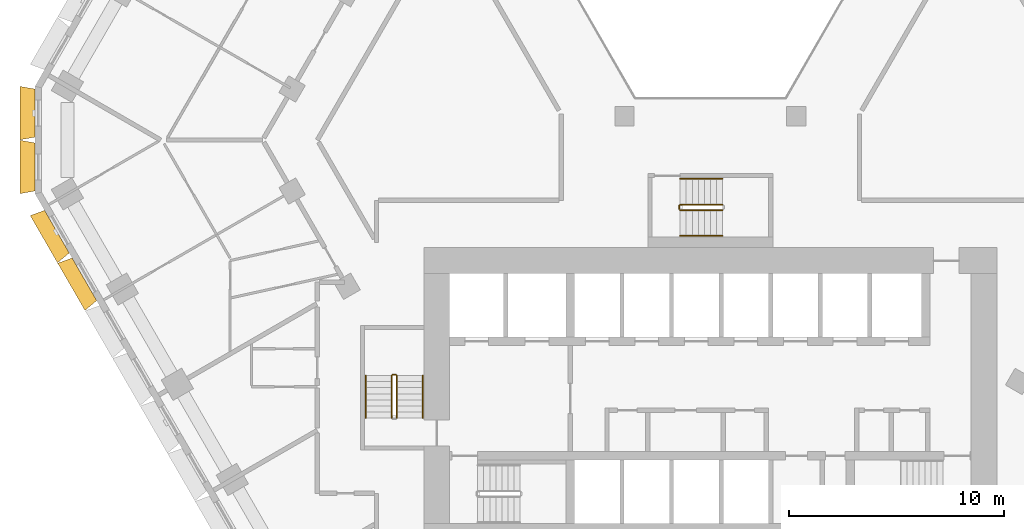
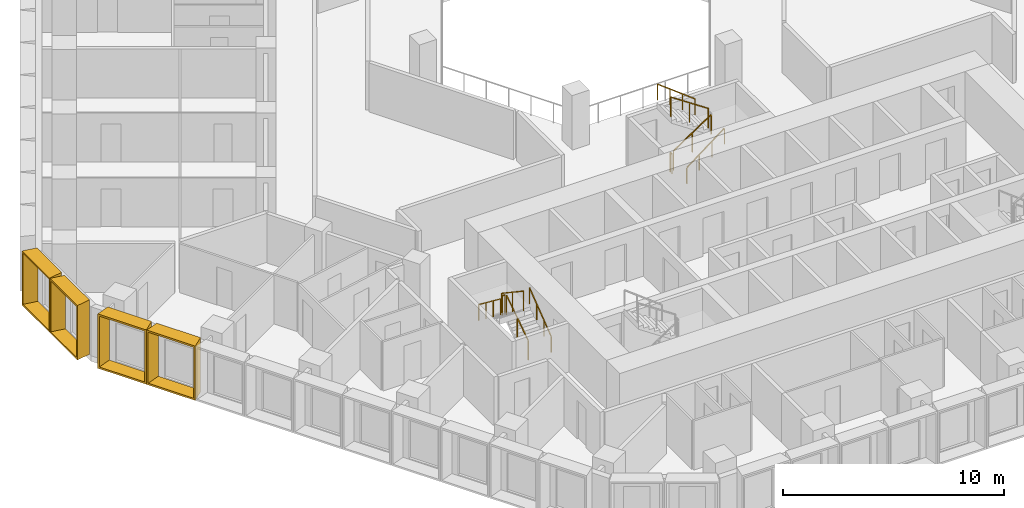
# One storey, part 19 of 21: 10 railings, 4 shading devices.
"""IFC4 building model written with IfcOpenShell, lengths in metres."""

import ifcopenshell
import ifcopenshell.guid

model = None  # the IFC model being written
_history = None  # IfcOwnerHistory: only IFC2X3 demands one
_inside = {}  # id of a spatial element -> (the spatial element, [elements in it])
_under = {}  # id of a project, library or spatial element -> (it, [spatial elements below it])
_declared = {}  # id of a project -> (the project, [libraries it declares])
_typed = {}  # id of a type object -> (the type object, [elements of that type])
_made_of = {}  # id of a material, layer set ... -> (it, [elements and type objects made of it])


def new_model(schema):
    """Start an empty IFC model of exactly this schema.

    Asked for "IFC4X3", IfcOpenShell would pick the latest addendum, in which some entities
    have other attributes; the version numbers below select the first issue.
    IFC2X3 requires an IfcOwnerHistory on every rooted entity: one is made here for all.
    """
    global model, _history
    if schema == "IFC4X3":
        model = ifcopenshell.file(schema_version=(4, 3, 0, 0))
    else:
        model = ifcopenshell.file(schema=schema)
    _inside.clear()
    _under.clear()
    _declared.clear()
    _typed.clear()
    _made_of.clear()
    _history = None
    if model.schema == "IFC2X3":
        org = make("IfcOrganization", Name="unknown")
        user = make(
            "IfcPersonAndOrganization",
            ThePerson=make("IfcPerson", FamilyName="unknown"),
            TheOrganization=org,
        )
        app = make(
            "IfcApplication",
            ApplicationDeveloper=org,
            Version="unknown",
            ApplicationFullName="unknown",
            ApplicationIdentifier="unknown",
        )
        _history = make(
            "IfcOwnerHistory",
            OwningUser=user,
            OwningApplication=app,
            ChangeAction="ADDED",
            CreationDate=0,
        )
    return model


def make(cls, **values):
    """One entity of the class cls with the attributes given. An attribute that is None is left unset."""
    return model.create_entity(
        cls, **{name: value for name, value in values.items() if value is not None}
    )


def entity(cls, *values):
    """Any entity or typed value of the class cls, its attributes in the order of the schema. None: left unset."""
    e = model.create_entity(cls)
    for i, value in enumerate(values):
        if value is not None:
            e[i] = value
    return e


def rooted(cls, **values):
    """An entity with a GlobalId (a new one), such as an element, a storey or a relation."""
    return make(cls, GlobalId=ifcopenshell.guid.new(), OwnerHistory=_history, **values)


def si_unit(unit_type, name, prefix=None):
    """IfcSIUnit, for example si_unit("LENGTHUNIT", "METRE", prefix="MILLI")."""
    return make("IfcSIUnit", UnitType=unit_type, Prefix=prefix, Name=name)


def assignment(units):
    """IfcUnitAssignment: the units of a project."""
    return None if units is None else make("IfcUnitAssignment", Units=units)


def point(xyz):
    """IfcCartesianPoint."""
    return None if xyz is None else make("IfcCartesianPoint", Coordinates=xyz)


def direction(xyz):
    """IfcDirection."""
    return None if xyz is None else make("IfcDirection", DirectionRatios=xyz)


def frame(location, z_axis=None, x_axis=None):
    """IfcAxis2Placement3D, a coordinate frame: its origin and axes. An axis left out is left unset."""
    return make(
        "IfcAxis2Placement3D",
        Location=point(location),
        Axis=direction(z_axis),
        RefDirection=direction(x_axis),
    )


def frame_2d(location, x_axis=None):
    """IfcAxis2Placement2D, a coordinate frame in the plane: its origin and x axis."""
    return make(
        "IfcAxis2Placement2D", Location=point(location), RefDirection=direction(x_axis)
    )


def origin():
    """The frame at (0, 0, 0) with its axes left unset."""
    return frame((0.0, 0.0, 0.0))


def origin_2d():
    """The frame at (0, 0) in the plane with its x axis left unset."""
    return frame_2d((0.0, 0.0))


def place(relative_to, where):
    """IfcLocalPlacement: puts the frame where relative to a parent placement (None: the world)."""
    return make(
        "IfcLocalPlacement", PlacementRelTo=relative_to, RelativePlacement=where
    )


def context(
    kind, dimensions, precision=None, world=None, true_north=None, identifier=None
):
    """IfcGeometricRepresentationContext, for example the 3D "Model" context."""
    return make(
        "IfcGeometricRepresentationContext",
        ContextIdentifier=identifier,
        ContextType=kind,
        CoordinateSpaceDimension=dimensions,
        Precision=precision,
        WorldCoordinateSystem=world,
        TrueNorth=true_north,
    )


def subcontext(parent, identifier, kind, view, scale=None):
    """IfcGeometricRepresentationSubContext, for example "Body" below "Model"."""
    return make(
        "IfcGeometricRepresentationSubContext",
        ContextIdentifier=identifier,
        ContextType=kind,
        ParentContext=parent,
        TargetScale=scale,
        TargetView=view,
    )


def project(units=None, contexts=None):
    """IfcProject with its units and contexts."""
    return rooted(
        "IfcProject",
        Name="project",
        RepresentationContexts=contexts,
        UnitsInContext=assignment(units),
    )


def spatial(cls, under=None, at=None, **own):
    """A site, building, storey or space (cls), placed at a placement, below another one or the project."""
    s = rooted(cls, ObjectPlacement=at, **own)
    if under is not None:
        _under.setdefault(under.id(), (under, []))[1].append(s)
    return s


def profile(cls, at=None, kind="AREA", **sizes):
    """A parametric profile (cls). Its sizes go by their IFC names, for example OverallWidth=200.0."""
    return make(cls, ProfileType=kind, Position=at, **sizes)


def rectangle(**sizes):
    """IfcRectangleProfileDef."""
    return profile("IfcRectangleProfileDef", **sizes)


def extrude(swept, where, along, depth):
    """IfcExtrudedAreaSolid: the profile swept, set in the frame where, extruded along a direction by depth."""
    return make(
        "IfcExtrudedAreaSolid",
        SweptArea=swept,
        Position=where,
        ExtrudedDirection=direction(along),
        Depth=depth,
    )


def shape(context_of_items, identifier, shape_type, items):
    """IfcShapeRepresentation: the items that make up one representation, for example the "Body"."""
    return make(
        "IfcShapeRepresentation",
        ContextOfItems=context_of_items,
        RepresentationIdentifier=identifier,
        RepresentationType=shape_type,
        Items=items,
    )


def source(mapping_origin, context_of_items, identifier, shape_type, items):
    """IfcRepresentationMap: a shape defined once, which mapped items show again and again."""
    return make(
        "IfcRepresentationMap",
        MappingOrigin=mapping_origin,
        MappedRepresentation=shape(context_of_items, identifier, shape_type, items),
    )


def transform(
    local_origin,
    x_axis=None,
    y_axis=None,
    z_axis=None,
    scale=None,
    scale2=None,
    scale3=None,
    uniform=True,
):
    """IfcCartesianTransformationOperator3D, or its non-uniform kind. x_axis, y_axis, z_axis: its Axis1, 2, 3."""
    if uniform:
        return make(
            "IfcCartesianTransformationOperator3D",
            Axis1=direction(x_axis),
            Axis2=direction(y_axis),
            LocalOrigin=point(local_origin),
            Scale=scale,
            Axis3=direction(z_axis),
        )
    return make(
        "IfcCartesianTransformationOperator3DnonUniform",
        Axis1=direction(x_axis),
        Axis2=direction(y_axis),
        LocalOrigin=point(local_origin),
        Scale=scale,
        Axis3=direction(z_axis),
        Scale2=scale2,
        Scale3=scale3,
    )


def mapped(mapping_source, mapping_target):
    """IfcMappedItem: shows the shape of a source again, moved by a transform."""
    return make(
        "IfcMappedItem", MappingSource=mapping_source, MappingTarget=mapping_target
    )


def material(Name=None, Category=None):
    """IfcMaterial."""
    return make("IfcMaterial", Name=Name, Category=Category)


def made_of(thing, what):
    """Note that an element or type object is made of a material, layer set ...; save() writes the relation."""
    if what is not None:
        _made_of.setdefault(what.id(), (what, []))[1].append(thing)
    return thing


def type_object(cls, material=None, **own):
    """A type object (cls), such as IfcWallType, which elements share."""
    return made_of(rooted(cls, **own), material)


def type_shapes(of_type, sources):
    """Give a type object the sources (RepresentationMaps) that its elements show as mapped items."""
    of_type.RepresentationMaps = sources


def element(
    cls,
    number,
    at=None,
    inside=None,
    cuts=None,
    type_object=None,
    material=None,
    context=None,
    identifier="Body",
    shape_type=None,
    held_by="IfcProductDefinitionShape",
    body=None,
    shapes=None,
    **own,
):
    """One element of the class cls, such as IfcWall. Its Tag is "e" and its number.

    at: its placement. inside: the storey or other place that contains it. cuts: it is an
    opening in that element (IfcRelVoidsElement). A single representation is given by context,
    identifier, shape_type and body (its items); several are given by shapes. held_by: the class
    of the entity that holds the representations. save() writes the other relations.
    """
    e = rooted(cls, Tag="e%d" % number, ObjectPlacement=at, **own)
    if body is not None:
        shapes = [shape(context, identifier, shape_type, body)]
    if shapes is not None:
        e.Representation = make(held_by, Representations=shapes)
    if inside is not None:
        _inside.setdefault(inside.id(), (inside, []))[1].append(e)
    if cuts is not None:
        rooted(
            "IfcRelVoidsElement", RelatingBuildingElement=cuts, RelatedOpeningElement=e
        )
    if type_object is not None:
        _typed.setdefault(type_object.id(), (type_object, []))[1].append(e)
    return made_of(e, material)


def aggregate(whole, parts):
    """IfcRelAggregates: a whole, such as a stair, and the parts it consists of."""
    return rooted("IfcRelAggregates", RelatingObject=whole, RelatedObjects=parts)


def save(model, path):
    """Write the relations noted so far, then the file.

    IfcRelAggregates (storeys below a building ...), IfcRelContainedInSpatialStructure (elements
    in a storey), IfcRelDefinesByType, IfcRelAssociatesMaterial and IfcRelDeclares: one each for
    every whole, place, type object, material and project.
    """
    for whole, parts in _under.values():
        aggregate(whole, parts)
    for where, things in _inside.values():
        rooted(
            "IfcRelContainedInSpatialStructure",
            RelatedElements=things,
            RelatingStructure=where,
        )
    for kind, things in _typed.values():
        rooted("IfcRelDefinesByType", RelatedObjects=things, RelatingType=kind)
    for what, things in _made_of.values():
        rooted("IfcRelAssociatesMaterial", RelatedObjects=things, RelatingMaterial=what)
    for by, libraries in _declared.values():
        rooted("IfcRelDeclares", RelatingContext=by, RelatedDefinitions=libraries)
    model.write(path)


model = new_model("IFC4")

# Units and contexts
model_context = context("Model", 3, precision=1e-05, world=origin(), true_north=direction((0.0, 1.0)))
body_context = subcontext(model_context, "Body", "Model", "MODEL_VIEW")
ifc_project = project(units=[si_unit("LENGTHUNIT", "METRE"), si_unit("AREAUNIT", "SQUARE_METRE"), si_unit("VOLUMEUNIT", "CUBIC_METRE"), si_unit("PLANEANGLEUNIT", "RADIAN"), si_unit("MASSUNIT", "GRAM", prefix="KILO")], contexts=[model_context])

# Site, building, storey
site_placement = place(None, origin())
site = spatial("IfcSite", under=ifc_project, at=site_placement, CompositionType="ELEMENT")
building_placement = place(site_placement, origin())
building = spatial("IfcBuilding", under=site, at=building_placement, Name="Beryl Residences", CompositionType="ELEMENT")
storey_placement = place(building_placement, frame((0.0, 0.0, 35.39990234375)))
storey = spatial("IfcBuildingStorey", under=building, at=storey_placement, Name="L10", CompositionType="ELEMENT", Elevation=35.39990234375)

# Shading devices
ifc_material_1 = material(Name="Aluminium pale anodised", Category="aluminium")
shading_device_type_1 = type_object("IfcShadingDeviceType", Name="FR250-70A OUTER SKIN frame 700 mm deep, splay 10/10 deg, 2500 x 3000 mm cell", PredefinedType="USERDEFINED", material=ifc_material_1)
cartesian_point_1 = entity("IfcCartesianPoint", [-1.116455078125, 0.0])
cartesian_point_2 = entity("IfcCartesianPoint", [-1.03515625, 0.10009765625])
cartesian_point_3 = entity("IfcCartesianPoint", [-1.239990234375, 0.0])
cartesian_point_4 = entity("IfcCartesianPoint", [-1.15869140625, 0.10009765625])
shared_shape_1 = source(origin(), body_context, "Body", "SweptSolid", [
    entity("IfcExtrudedAreaSolidTapered", entity("IfcArbitraryProfileDefWithVoids", "AREA", None, entity("IfcPolyline", [cartesian_point_1, entity("IfcCartesianPoint", [1.116455078125, 0.0]), entity("IfcCartesianPoint", [1.116455078125, 3.0]), entity("IfcCartesianPoint", [-1.116455078125, 3.0]), cartesian_point_1]), [entity("IfcPolyline", [cartesian_point_2, entity("IfcCartesianPoint", [1.03515625, 0.10009765625]), entity("IfcCartesianPoint", [1.03515625, 2.89990234375]), entity("IfcCartesianPoint", [-1.03515625, 2.89990234375]), cartesian_point_2])]), entity("IfcAxis2Placement3D", entity("IfcCartesianPoint", [0.0, 0.0, 0.0]), entity("IfcDirection", [0.0, 1.0, 0.0]), entity("IfcDirection", [-1.0, 0.0, 0.0])), entity("IfcDirection", [0.0, 0.0, 1.0]), 0.699951171875, entity("IfcArbitraryProfileDefWithVoids", "AREA", None, entity("IfcPolyline", [cartesian_point_3, entity("IfcCartesianPoint", [1.239990234375, 0.0]), entity("IfcCartesianPoint", [1.239990234375, 3.0]), entity("IfcCartesianPoint", [-1.239990234375, 3.0]), cartesian_point_3]), [entity("IfcPolyline", [cartesian_point_4, entity("IfcCartesianPoint", [1.15869140625, 0.10009765625]), entity("IfcCartesianPoint", [1.15869140625, 2.89990234375]), entity("IfcCartesianPoint", [-1.15869140625, 2.89990234375]), cartesian_point_4])])),
])
type_shapes(shading_device_type_1, [shared_shape_1])
for number, where, z_axis, x_axis, name in (
    (1, (-31.35009765625, 1.25, 0.0), (0.0, 0.0, 1.0), (0.0, 1.0, 0.0), "FR250-70A frame L10 NW-SW 1"),
    (2, (-31.35009765625, -1.25, 0.0), (0.0, 0.0, 1.0), (0.0, 1.0, 0.0), "FR250-70A frame L10 NW-SW 2"),
):
    element("IfcShadingDevice", number, at=place(storey_placement, frame(where, z_axis=z_axis, x_axis=x_axis)), inside=storey, type_object=shading_device_type_1, Name=name, ObjectType="OUTER SKIN", PredefinedType="USERDEFINED", context=body_context, shape_type="MappedRepresentation", body=[
        mapped(shared_shape_1, transform((0.0, 0.0, 0.0))),
    ])
ifc_material_2 = material(Name="Aluminium pale anodised", Category="aluminium")
shading_device_type_2 = type_object("IfcShadingDeviceType", Name="FR255-70A OUTER SKIN frame 700 mm deep, splay 10/10 deg, 2550 x 3000 mm cell", PredefinedType="USERDEFINED", material=ifc_material_2)
cartesian_point_5 = entity("IfcCartesianPoint", [-1.1416015625, 0.0])
cartesian_point_6 = entity("IfcCartesianPoint", [-1.060302734375, 0.10009765625])
cartesian_point_7 = entity("IfcCartesianPoint", [-1.264892578125, 0.0])
cartesian_point_8 = entity("IfcCartesianPoint", [-1.18359375, 0.10009765625])
shared_shape_2 = source(origin(), body_context, "Body", "SweptSolid", [
    entity("IfcExtrudedAreaSolidTapered", entity("IfcArbitraryProfileDefWithVoids", "AREA", None, entity("IfcPolyline", [cartesian_point_5, entity("IfcCartesianPoint", [1.1416015625, 0.0]), entity("IfcCartesianPoint", [1.1416015625, 3.0]), entity("IfcCartesianPoint", [-1.1416015625, 3.0]), cartesian_point_5]), [entity("IfcPolyline", [cartesian_point_6, entity("IfcCartesianPoint", [1.060302734375, 0.10009765625]), entity("IfcCartesianPoint", [1.060302734375, 2.89990234375]), entity("IfcCartesianPoint", [-1.060302734375, 2.89990234375]), cartesian_point_6])]), entity("IfcAxis2Placement3D", entity("IfcCartesianPoint", [0.0, 0.0, 0.0]), entity("IfcDirection", [0.0, 1.0, 0.0]), entity("IfcDirection", [-1.0, 0.0, 0.0])), entity("IfcDirection", [0.0, 0.0, 1.0]), 0.699951171875, entity("IfcArbitraryProfileDefWithVoids", "AREA", None, entity("IfcPolyline", [cartesian_point_7, entity("IfcCartesianPoint", [1.264892578125, 0.0]), entity("IfcCartesianPoint", [1.264892578125, 3.0]), entity("IfcCartesianPoint", [-1.264892578125, 3.0]), cartesian_point_7]), [entity("IfcPolyline", [cartesian_point_8, entity("IfcCartesianPoint", [1.18359375, 0.10009765625]), entity("IfcCartesianPoint", [1.18359375, 2.89990234375]), entity("IfcCartesianPoint", [-1.18359375, 2.89990234375]), cartesian_point_8])])),
])
type_shapes(shading_device_type_2, [shared_shape_2])
for number, where, z_axis, x_axis, name in (
    (3, (-30.3359375, -4.2548828125, 0.0), (0.0, 0.0, 1.0), (-0.5, 0.866025403784, 0.0), "FR255-70A frame L10 SW 1"),
    (4, (-29.06005859375, -6.465087890625, 0.0), (0.0, 0.0, 1.0), (-0.5, 0.866025403784, 0.0), "FR255-70A frame L10 SW 2"),
):
    element("IfcShadingDevice", number, at=place(storey_placement, frame(where, z_axis=z_axis, x_axis=x_axis)), inside=storey, type_object=shading_device_type_2, Name=name, ObjectType="OUTER SKIN", PredefinedType="USERDEFINED", context=body_context, shape_type="MappedRepresentation", body=[
        mapped(shared_shape_2, transform((0.0, 0.0, 0.0))),
    ])

# Railings
ifc_material_3 = material(Name="Stainless steel balustrade with glass infill", Category="steel")
railing_type_1 = type_object("IfcRailingType", Name="SG1 stair guard 1100 mm", PredefinedType="GUARDRAIL", material=ifc_material_3)
railing_1_placement = place(storey_placement, frame((-14.550048828125, -12.89990234375, 0.1875)))
element("IfcRailing", 5, at=railing_1_placement, inside=storey, type_object=railing_type_1, Name="L10 ST-2 stair guard 1", PredefinedType="GUARDRAIL", context=body_context, shape_type="SweptSolid", body=[
    extrude(rectangle(XDim=0.048095703125, YDim=0.048095703125, at=origin_2d()), frame((0.0, 0.0, 1.076171875), z_axis=(0.0, 0.830902050051, 0.556418712142), x_axis=(-1.0, 0.0, 0.0)), (0.0, 0.0, 1.0), 2.35888671875),
    extrude(rectangle(XDim=0.0419921875, YDim=0.0419921875, at=origin_2d()), origin(), (0.0, 0.0, 1.0), 1.052001953125),
    extrude(rectangle(XDim=0.0419921875, YDim=0.0419921875, at=origin_2d()), frame((0.0, 0.97998046875, 0.65625)), (0.0, 0.0, 1.0), 1.052001953125),
    extrude(rectangle(XDim=0.0419921875, YDim=0.0419921875, at=origin_2d()), frame((0.0, 1.9599609375, 1.3125)), (0.0, 0.0, 1.0), 1.052001953125),
])
railing_2_placement = place(storey_placement, frame((-14.60009765625, -10.889892578125, 1.5)))
element("IfcRailing", 6, at=railing_2_placement, inside=storey, type_object=railing_type_1, Name="L10 ST-2 stair guard 2", PredefinedType="GUARDRAIL", context=body_context, shape_type="SweptSolid", body=[
    extrude(rectangle(XDim=0.048095703125, YDim=0.048095703125, at=origin_2d()), frame((0.0, 0.0, 1.076171875), z_axis=(-1.0, 0.0, 0.0), x_axis=(0.0, -1.0, 0.0)), (0.0, 0.0, 1.0), 0.14990234375),
    extrude(rectangle(XDim=0.0419921875, YDim=0.0419921875, at=origin_2d()), origin(), (0.0, 0.0, 1.0), 1.052001953125),
    extrude(rectangle(XDim=0.0419921875, YDim=0.0419921875, at=origin_2d()), frame((-0.14990234375, 0.0, 0.0)), (0.0, 0.0, 1.0), 1.052001953125),
])
railing_3_placement = place(storey_placement, frame((-14.800048828125, -10.93994140625, 1.6875)))
element("IfcRailing", 7, at=railing_3_placement, inside=storey, type_object=railing_type_1, Name="L10 ST-2 stair guard 3", PredefinedType="GUARDRAIL", context=body_context, shape_type="SweptSolid", body=[
    extrude(rectangle(XDim=0.048095703125, YDim=0.048095703125, at=origin_2d()), frame((0.0, 0.0, 1.076171875), z_axis=(0.0, -0.830902050051, 0.556418712142), x_axis=(1.0, 0.0, 0.0)), (0.0, 0.0, 1.0), 2.35888671875),
    extrude(rectangle(XDim=0.0419921875, YDim=0.0419921875, at=origin_2d()), origin(), (0.0, 0.0, 1.0), 1.052001953125),
    extrude(rectangle(XDim=0.0419921875, YDim=0.0419921875, at=origin_2d()), frame((0.0, -0.97998046875, 0.65625)), (0.0, 0.0, 1.0), 1.052001953125),
    extrude(rectangle(XDim=0.0419921875, YDim=0.0419921875, at=origin_2d()), frame((0.0, -1.9599609375, 1.3125)), (0.0, 0.0, 1.0), 1.052001953125),
])
railing_4_placement = place(storey_placement, frame((-1.39990234375, -3.25, 0.1875)))
element("IfcRailing", 8, at=railing_4_placement, inside=storey, type_object=railing_type_1, Name="L10 ST-4 stair guard 1", PredefinedType="GUARDRAIL", context=body_context, shape_type="SweptSolid", body=[
    extrude(rectangle(XDim=0.048095703125, YDim=0.048095703125, at=origin_2d()), frame((0.0, 0.0, 1.076171875), z_axis=(0.830902050051, 0.0, 0.556418712142), x_axis=(0.0, 1.0, 0.0)), (0.0, 0.0, 1.0), 2.35888671875),
    extrude(rectangle(XDim=0.0419921875, YDim=0.0419921875, at=origin_2d()), origin(), (0.0, 0.0, 1.0), 1.052001953125),
    extrude(rectangle(XDim=0.0419921875, YDim=0.0419921875, at=origin_2d()), frame((0.97998046875, 0.0, 0.65625)), (0.0, 0.0, 1.0), 1.052001953125),
    extrude(rectangle(XDim=0.0419921875, YDim=0.0419921875, at=origin_2d()), frame((1.9599609375, 0.0, 1.3125)), (0.0, 0.0, 1.0), 1.052001953125),
])
railing_5_placement = place(storey_placement, frame((0.56005859375, -3.0, 1.6875)))
element("IfcRailing", 9, at=railing_5_placement, inside=storey, type_object=railing_type_1, Name="L10 ST-4 stair guard 3", PredefinedType="GUARDRAIL", context=body_context, shape_type="SweptSolid", body=[
    extrude(rectangle(XDim=0.048095703125, YDim=0.048095703125, at=origin_2d()), frame((0.0, 0.0, 1.076171875), z_axis=(-0.830902050051, 0.0, 0.556418712142), x_axis=(0.0, -1.0, 0.0)), (0.0, 0.0, 1.0), 2.35888671875),
    extrude(rectangle(XDim=0.0419921875, YDim=0.0419921875, at=origin_2d()), origin(), (0.0, 0.0, 1.0), 1.052001953125),
    extrude(rectangle(XDim=0.0419921875, YDim=0.0419921875, at=origin_2d()), frame((-0.97998046875, 0.0, 0.65625)), (0.0, 0.0, 1.0), 1.052001953125),
    extrude(rectangle(XDim=0.0419921875, YDim=0.0419921875, at=origin_2d()), frame((-1.9599609375, 0.0, 1.3125)), (0.0, 0.0, 1.0), 1.052001953125),
])
railing_6_placement = place(storey_placement, frame((-1.449951171875, -3.199951171875, 0.0)))
element("IfcRailing", 10, at=railing_6_placement, inside=storey, type_object=railing_type_1, Name="L10 ST-4 stair guard 4", PredefinedType="GUARDRAIL", context=body_context, shape_type="SweptSolid", body=[
    extrude(rectangle(XDim=0.048095703125, YDim=0.048095703125, at=origin_2d()), frame((0.0, 0.0, 1.076171875), z_axis=(0.0, 1.0, 0.0), x_axis=(-1.0, 0.0, 0.0)), (0.0, 0.0, 1.0), 0.14990234375),
    extrude(rectangle(XDim=0.0419921875, YDim=0.0419921875, at=origin_2d()), origin(), (0.0, 0.0, 1.0), 1.052001953125),
    extrude(rectangle(XDim=0.0419921875, YDim=0.0419921875, at=origin_2d()), frame((0.0, 0.14990234375, 0.0)), (0.0, 0.0, 1.0), 1.052001953125),
])
ifc_material_4 = material(Name="Stainless steel handrail", Category="steel")
railing_type_2 = type_object("IfcRailingType", Name="SRL1 stair handrail 900 mm", PredefinedType="HANDRAIL", material=ifc_material_4)
railing_7_placement = place(storey_placement, frame((-13.35009765625, -12.89990234375, 0.1875)))
element("IfcRailing", 11, at=railing_7_placement, inside=storey, type_object=railing_type_2, Name="L10 ST-2 stair handrail 1", PredefinedType="HANDRAIL", context=body_context, shape_type="SweptSolid", body=[
    extrude(rectangle(XDim=0.048095703125, YDim=0.048095703125, at=origin_2d()), frame((0.0, 0.0, 0.8759765625), z_axis=(0.0, 0.794121922505, 0.607758481798), x_axis=(-1.0, 0.0, 0.0)), (0.0, 0.0, 1.0), 2.468017578125),
    extrude(rectangle(XDim=0.0419921875, YDim=0.0419921875, at=origin_2d()), origin(), (0.0, 0.0, 1.0), 0.851806640625),
    extrude(rectangle(XDim=0.0419921875, YDim=0.0419921875, at=origin_2d()), frame((0.0, 0.6533203125, 0.5)), (0.0, 0.0, 1.0), 0.851806640625),
    extrude(rectangle(XDim=0.0419921875, YDim=0.0419921875, at=origin_2d()), frame((0.0, 1.306640625, 1.0)), (0.0, 0.0, 1.0), 0.851806640625),
    extrude(rectangle(XDim=0.0419921875, YDim=0.0419921875, at=origin_2d()), frame((0.0, 1.9599609375, 1.5)), (0.0, 0.0, 1.0), 0.851806640625),
])
railing_8_placement = place(storey_placement, frame((-16.0, -10.93994140625, 1.6875)))
element("IfcRailing", 12, at=railing_8_placement, inside=storey, type_object=railing_type_2, Name="L10 ST-2 stair handrail 2", PredefinedType="HANDRAIL", context=body_context, shape_type="SweptSolid", body=[
    extrude(rectangle(XDim=0.048095703125, YDim=0.048095703125, at=origin_2d()), frame((0.0, 0.0, 0.8759765625), z_axis=(0.0, -0.794121922505, 0.607758481798), x_axis=(1.0, 0.0, 0.0)), (0.0, 0.0, 1.0), 2.468017578125),
    extrude(rectangle(XDim=0.0419921875, YDim=0.0419921875, at=origin_2d()), origin(), (0.0, 0.0, 1.0), 0.851806640625),
    extrude(rectangle(XDim=0.0419921875, YDim=0.0419921875, at=origin_2d()), frame((0.0, -0.6533203125, 0.5)), (0.0, 0.0, 1.0), 0.851806640625),
    extrude(rectangle(XDim=0.0419921875, YDim=0.0419921875, at=origin_2d()), frame((0.0, -1.306640625, 1.0)), (0.0, 0.0, 1.0), 0.851806640625),
    extrude(rectangle(XDim=0.0419921875, YDim=0.0419921875, at=origin_2d()), frame((0.0, -1.9599609375, 1.5)), (0.0, 0.0, 1.0), 0.851806640625),
])
railing_9_placement = place(storey_placement, frame((-1.39990234375, -4.449951171875, 0.1875)))
element("IfcRailing", 13, at=railing_9_placement, inside=storey, type_object=railing_type_2, Name="L10 ST-4 stair handrail 1", PredefinedType="HANDRAIL", context=body_context, shape_type="SweptSolid", body=[
    extrude(rectangle(XDim=0.048095703125, YDim=0.048095703125, at=origin_2d()), frame((0.0, 0.0, 0.8759765625), z_axis=(0.794121922505, 0.0, 0.607758481798), x_axis=(0.0, 1.0, 0.0)), (0.0, 0.0, 1.0), 2.468017578125),
    extrude(rectangle(XDim=0.0419921875, YDim=0.0419921875, at=origin_2d()), origin(), (0.0, 0.0, 1.0), 0.851806640625),
    extrude(rectangle(XDim=0.0419921875, YDim=0.0419921875, at=origin_2d()), frame((0.6533203125, 0.0, 0.5)), (0.0, 0.0, 1.0), 0.851806640625),
    extrude(rectangle(XDim=0.0419921875, YDim=0.0419921875, at=origin_2d()), frame((1.306640625, 0.0, 1.0)), (0.0, 0.0, 1.0), 0.851806640625),
    extrude(rectangle(XDim=0.0419921875, YDim=0.0419921875, at=origin_2d()), frame((1.9599609375, 0.0, 1.5)), (0.0, 0.0, 1.0), 0.851806640625),
])
railing_10_placement = place(storey_placement, frame((0.56005859375, -1.800048828125, 1.6875)))
element("IfcRailing", 14, at=railing_10_placement, inside=storey, type_object=railing_type_2, Name="L10 ST-4 stair handrail 2", PredefinedType="HANDRAIL", context=body_context, shape_type="SweptSolid", body=[
    extrude(rectangle(XDim=0.048095703125, YDim=0.048095703125, at=origin_2d()), frame((0.0, 0.0, 0.8759765625), z_axis=(-0.794121922505, 0.0, 0.607758481798), x_axis=(0.0, -1.0, 0.0)), (0.0, 0.0, 1.0), 2.468017578125),
    extrude(rectangle(XDim=0.0419921875, YDim=0.0419921875, at=origin_2d()), origin(), (0.0, 0.0, 1.0), 0.851806640625),
    extrude(rectangle(XDim=0.0419921875, YDim=0.0419921875, at=origin_2d()), frame((-0.6533203125, 0.0, 0.5)), (0.0, 0.0, 1.0), 0.851806640625),
    extrude(rectangle(XDim=0.0419921875, YDim=0.0419921875, at=origin_2d()), frame((-1.306640625, 0.0, 1.0)), (0.0, 0.0, 1.0), 0.851806640625),
    extrude(rectangle(XDim=0.0419921875, YDim=0.0419921875, at=origin_2d()), frame((-1.9599609375, 0.0, 1.5)), (0.0, 0.0, 1.0), 0.851806640625),
])

save(model, "model.ifc")
